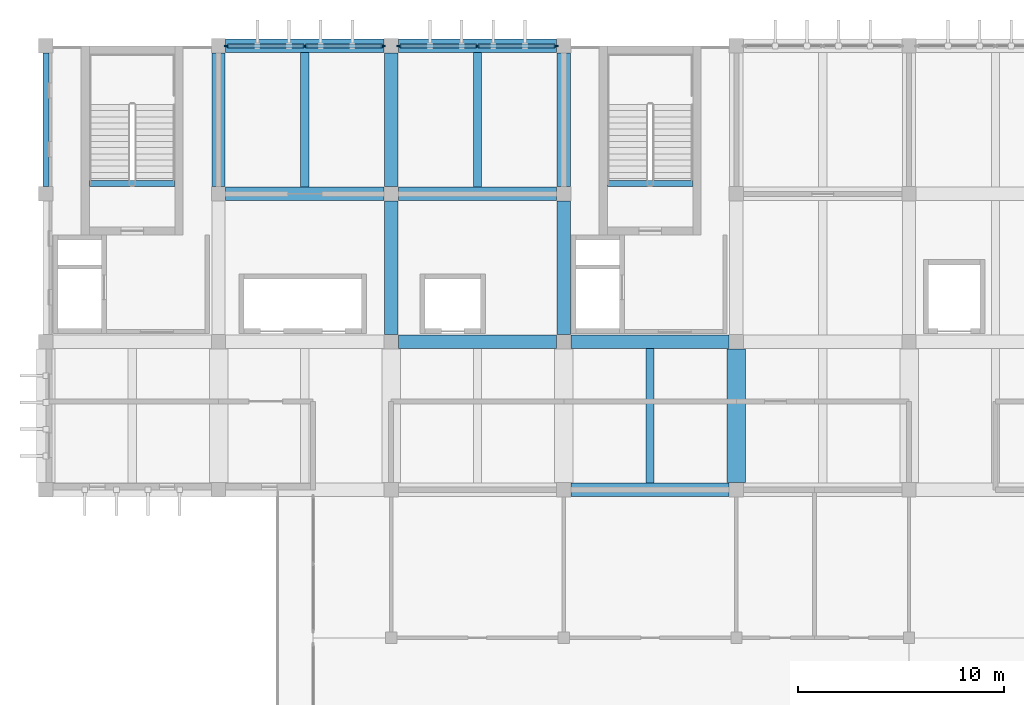
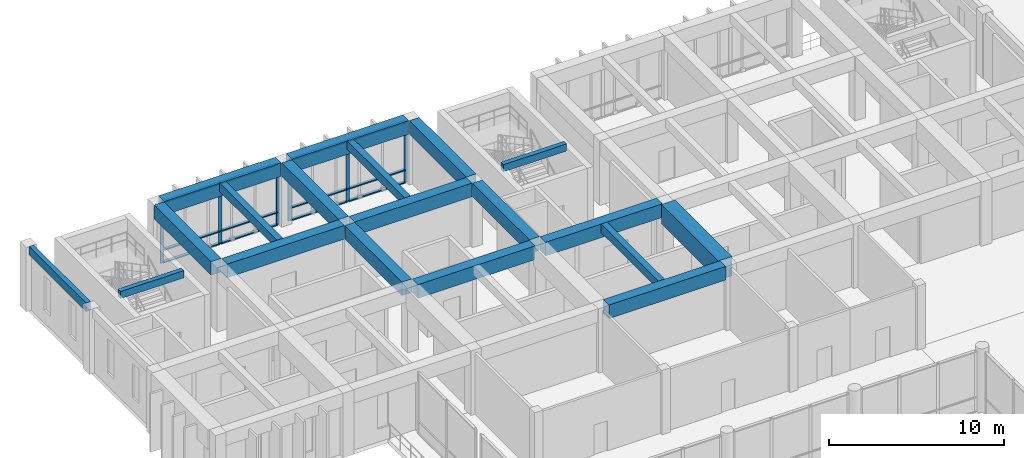
# One storey, part 6 of 17: 19 beams, 18 members, 2 elements without a shape of their own.
"""IFC4 building model written with IfcOpenShell, lengths in metres."""

from ifc_helpers import new_model, si_unit, direction, frame, origin, origin_2d, place, context, subcontext, project, spatial, rectangle, extrude, material, material_profile, profile_set, type_object, element, aggregate, save


model = new_model("IFC4")

# Units and contexts
model_context = context("Model", 3, precision=1e-05, world=origin(), true_north=direction((0.0, 1.0)))
body_context = subcontext(model_context, "Body", "Model", "MODEL_VIEW")
ifc_project = project(units=[si_unit("LENGTHUNIT", "METRE"), si_unit("AREAUNIT", "SQUARE_METRE"), si_unit("VOLUMEUNIT", "CUBIC_METRE"), si_unit("PLANEANGLEUNIT", "RADIAN"), si_unit("MASSUNIT", "GRAM", prefix="KILO")], contexts=[model_context])

# Site, building, storey
site_placement = place(None, origin())
site = spatial("IfcSite", under=ifc_project, at=site_placement, CompositionType="ELEMENT")
building_placement = place(site_placement, origin())
building = spatial("IfcBuilding", under=site, at=building_placement, Name="Kenerak Square Central Library", CompositionType="ELEMENT")
storey_placement = place(building_placement, frame((0.0, 0.0, 23.360107421875)))
storey = spatial("IfcBuildingStorey", under=building, at=storey_placement, Name="L05", CompositionType="ELEMENT", Elevation=23.360107421875)

# Beams
ifc_material_1 = material(Name="Concrete C45/55", Category="concrete")
ifc_material_profile_1 = material_profile(ifc_material_1, rectangle(XDim=0.64990234375, YDim=0.949951171875, at=origin_2d()), Name="RC 650x950")
ifc_profile_set_1 = profile_set([ifc_material_profile_1], Name="Concrete C45/55")
beam_type_1 = type_object("IfcBeamType", Name="Book Stack Girder B-02 RC 650x950 C45/55", PredefinedType="BEAM", material=ifc_profile_set_1)
for number, where, z_axis, x_axis, name in (
    (1, (83.949951171875, 88.800048828125, 4.0048828125), (1.0, 0.0, 0.0), (0.0, 1.0, 0.0), "Beam B-02 L05 1649"),
    (2, (75.550048828125, 96.0, 4.0048828125), (1.0, 0.0, 0.0), (0.0, 1.0, 0.0), "Beam B-02 L05 1655"),
    (3, (83.949951171875, 96.0, 4.0048828125), (1.0, 0.0, 0.0), (0.0, 1.0, 0.0), "Beam B-02 L05 1656"),
):
    element("IfcBeam", number, at=place(storey_placement, frame(where, z_axis=z_axis, x_axis=x_axis)), inside=storey, type_object=beam_type_1, Name=name, PredefinedType="BEAM", context=body_context, shape_type="SweptSolid", body=[
        extrude(rectangle(XDim=0.64990234375, YDim=0.949951171875, at=origin_2d()), origin(), (0.0, 0.0, 1.0), 7.699951171875),
    ])
beam_1_placement = place(storey_placement, frame((67.14990234375, 103.199951171875, 4.0048828125), z_axis=(1.0, 0.0, 0.0), x_axis=(0.0, 1.0, 0.0)))
element("IfcBeam", 4, at=beam_1_placement, inside=storey, type_object=beam_type_1, Name="Beam B-02 L05 1660", PredefinedType="BEAM", context=body_context, shape_type="SweptSolid", body=[
    extrude(rectangle(XDim=0.64990234375, YDim=0.949951171875, at=origin_2d()), origin(), (0.0, 0.0, 1.0), 7.7001953125),
])
beam_2_placement = place(storey_placement, frame((75.550048828125, 103.199951171875, 4.0048828125), z_axis=(1.0, 0.0, 0.0), x_axis=(0.0, 1.0, 0.0)))
element("IfcBeam", 5, at=beam_2_placement, inside=storey, type_object=beam_type_1, Name="Beam B-02 L05 1661", PredefinedType="BEAM", context=body_context, shape_type="SweptSolid", body=[
    extrude(rectangle(XDim=0.64990234375, YDim=0.949951171875, at=origin_2d()), origin(), (0.0, 0.0, 1.0), 7.699951171875),
])
beam_3_placement = place(storey_placement, frame((67.14990234375, 110.39990234375, 4.0048828125), z_axis=(1.0, 0.0, 0.0), x_axis=(0.0, 1.0, 0.0)))
element("IfcBeam", 6, at=beam_3_placement, inside=storey, type_object=beam_type_1, Name="Beam B-02 L05 1664", PredefinedType="BEAM", context=body_context, shape_type="SweptSolid", body=[
    extrude(rectangle(XDim=0.64990234375, YDim=0.949951171875, at=origin_2d()), origin(), (0.0, 0.0, 1.0), 7.7001953125),
])
beam_4_placement = place(storey_placement, frame((75.550048828125, 110.39990234375, 4.0048828125), z_axis=(1.0, 0.0, 0.0), x_axis=(0.0, 1.0, 0.0)))
element("IfcBeam", 7, at=beam_4_placement, inside=storey, type_object=beam_type_1, Name="Beam B-02 L05 1665", PredefinedType="BEAM", context=body_context, shape_type="SweptSolid", body=[
    extrude(rectangle(XDim=0.64990234375, YDim=0.949951171875, at=origin_2d()), origin(), (0.0, 0.0, 1.0), 7.699951171875),
])
for number, where, z_axis, x_axis, name in (
    (8, (66.800048828125, 103.550048828125, 4.0048828125), (0.0, 1.0, 0.0), (-1.0, 0.0, 0.0), "Beam B-02 L05 1673"),
    (9, (75.199951171875, 96.35009765625, 4.0048828125), (0.0, 1.0, 0.0), (-1.0, 0.0, 0.0), "Beam B-02 L05 1675"),
    (10, (75.199951171875, 103.550048828125, 4.0048828125), (0.0, 1.0, 0.0), (-1.0, 0.0, 0.0), "Beam B-02 L05 1676"),
    (11, (83.60009765625, 96.35009765625, 4.0048828125), (0.0, 1.0, 0.0), (-1.0, 0.0, 0.0), "Beam B-02 L05 1678"),
    (12, (83.60009765625, 103.550048828125, 4.0048828125), (0.0, 1.0, 0.0), (-1.0, 0.0, 0.0), "Beam B-02 L05 1679"),
):
    element("IfcBeam", number, at=place(storey_placement, frame(where, z_axis=z_axis, x_axis=x_axis)), inside=storey, type_object=beam_type_1, Name=name, PredefinedType="BEAM", context=body_context, shape_type="SweptSolid", body=[
        extrude(rectangle(XDim=0.64990234375, YDim=0.949951171875, at=origin_2d()), origin(), (0.0, 0.0, 1.0), 6.5),
    ])
ifc_material_2 = material(Name="Concrete C40/50", Category="concrete")
ifc_material_profile_2 = material_profile(ifc_material_2, rectangle(XDim=0.300048828125, YDim=0.60009765625, at=origin_2d()), Name="RC 300x600")
ifc_profile_set_2 = profile_set([ifc_material_profile_2], Name="Concrete C40/50")
beam_type_2 = type_object("IfcBeamType", Name="Courtyard Spandrel Beam SP-02 RC 300x600 C40/50", PredefinedType="SPANDREL", material=ifc_profile_set_2)
beam_5_placement = place(storey_placement, frame((58.39990234375, 103.550048828125, 4.179931640625), z_axis=(0.0, 1.0, 0.0), x_axis=(-1.0, 0.0, 0.0)))
element("IfcBeam", 13, at=beam_5_placement, inside=storey, type_object=beam_type_2, Name="Beam SP-02 L05 1670", PredefinedType="SPANDREL", context=body_context, shape_type="SweptSolid", body=[
    extrude(rectangle(XDim=0.300048828125, YDim=0.60009765625, at=origin_2d()), origin(), (0.0, 0.0, 1.0), 6.5),
])

# Curtain wall, members
ifc_material_3 = material(Name="Anodised aluminium and solar-control low-E glazing", Category="aluminium")
curtain_wall_type = type_object("IfcCurtainWallType", Name="Curtain Wall CW-V5-77x42 7700x4255", PredefinedType="USERDEFINED", material=ifc_material_3)
curtain_wall_1_placement = place(storey_placement, origin())
curtain_wall_1 = element("IfcCurtainWall", 14, at=curtain_wall_1_placement, inside=storey, type_object=curtain_wall_type, Name="Curtain Wall CW-V5-77x42 L05 0155", ObjectType="CURTAIN WALL", PredefinedType="USERDEFINED")
ifc_material_4 = material(Name="Anodised aluminium 6063-T6", Category="aluminium")
ifc_material_profile_3 = material_profile(ifc_material_4, rectangle(XDim=0.074951171875, YDim=0.219970703125, at=origin_2d()), Name="AL MULLION 75x220")
ifc_profile_set_3 = profile_set([ifc_material_profile_3], Name="Anodised aluminium 6063-T6")
member_type_1 = type_object("IfcMemberType", Name="Curtain Mullion CM-02 75x220", PredefinedType="MULLION", material=ifc_profile_set_3)
member_1_placement = place(storey_placement, frame((67.1875, 110.39990234375, 0.0), z_axis=(0.0, 0.0, 1.0), x_axis=(0.0, 1.0, 0.0)))
member_1 = element("IfcMember", 15, at=member_1_placement, type_object=member_type_1, Name="CW-V5-77x42 Mullion 1", PredefinedType="MULLION", context=body_context, shape_type="SweptSolid", body=[
    extrude(rectangle(XDim=0.074951171875, YDim=0.219970703125, at=origin_2d()), origin(), (0.0, 0.0, 1.0), 4.2548828125),
])
member_2_placement = place(storey_placement, frame((71.0, 110.39990234375, 0.0), z_axis=(0.0, 0.0, 1.0), x_axis=(0.0, 1.0, 0.0)))
member_2 = element("IfcMember", 16, at=member_2_placement, type_object=member_type_1, Name="CW-V5-77x42 Mullion 2", PredefinedType="MULLION", context=body_context, shape_type="SweptSolid", body=[
    extrude(rectangle(XDim=0.074951171875, YDim=0.219970703125, at=origin_2d()), origin(), (0.0, 0.0, 1.0), 4.2548828125),
])
member_3_placement = place(storey_placement, frame((74.8125, 110.39990234375, 0.0), z_axis=(0.0, 0.0, 1.0), x_axis=(0.0, 1.0, 0.0)))
member_3 = element("IfcMember", 17, at=member_3_placement, type_object=member_type_1, Name="CW-V5-77x42 Mullion 3", PredefinedType="MULLION", context=body_context, shape_type="SweptSolid", body=[
    extrude(rectangle(XDim=0.074951171875, YDim=0.219970703125, at=origin_2d()), origin(), (0.0, 0.0, 1.0), 4.2548828125),
])

curtain_wall_2_placement = place(storey_placement, origin())
curtain_wall_2 = element("IfcCurtainWall", 18, at=curtain_wall_2_placement, inside=storey, type_object=curtain_wall_type, Name="Curtain Wall CW-V5-77x42 L05 0156", ObjectType="CURTAIN WALL", PredefinedType="USERDEFINED")
member_4_placement = place(storey_placement, frame((75.58740234375, 110.39990234375, 0.0), z_axis=(0.0, 0.0, 1.0), x_axis=(0.0, 1.0, 0.0)))
member_4 = element("IfcMember", 19, at=member_4_placement, type_object=member_type_1, Name="CW-V5-77x42 Mullion 1", PredefinedType="MULLION", context=body_context, shape_type="SweptSolid", body=[
    extrude(rectangle(XDim=0.074951171875, YDim=0.219970703125, at=origin_2d()), origin(), (0.0, 0.0, 1.0), 4.2548828125),
])
member_5_placement = place(storey_placement, frame((79.39990234375, 110.39990234375, 0.0), z_axis=(0.0, 0.0, 1.0), x_axis=(0.0, 1.0, 0.0)))
member_5 = element("IfcMember", 20, at=member_5_placement, type_object=member_type_1, Name="CW-V5-77x42 Mullion 2", PredefinedType="MULLION", context=body_context, shape_type="SweptSolid", body=[
    extrude(rectangle(XDim=0.074951171875, YDim=0.219970703125, at=origin_2d()), origin(), (0.0, 0.0, 1.0), 4.2548828125),
])
member_6_placement = place(storey_placement, frame((83.21240234375, 110.39990234375, 0.0), z_axis=(0.0, 0.0, 1.0), x_axis=(0.0, 1.0, 0.0)))
member_6 = element("IfcMember", 21, at=member_6_placement, type_object=member_type_1, Name="CW-V5-77x42 Mullion 3", PredefinedType="MULLION", context=body_context, shape_type="SweptSolid", body=[
    extrude(rectangle(XDim=0.074951171875, YDim=0.219970703125, at=origin_2d()), origin(), (0.0, 0.0, 1.0), 4.2548828125),
])

# Member
ifc_material_profile_4 = material_profile(ifc_material_4, rectangle(XDim=0.199951171875, YDim=0.074951171875, at=origin_2d()), Name="AL TRANSOM 200x75")
ifc_profile_set_4 = profile_set([ifc_material_profile_4], Name="Anodised aluminium 6063-T6")
member_type_2 = type_object("IfcMemberType", Name="Curtain Transom CT-12 200x75", PredefinedType="USERDEFINED", material=ifc_profile_set_4)
member_7_placement = place(storey_placement, frame((67.22509765625, 110.39990234375, 0.037353515625), z_axis=(1.0, 0.0, 0.0), x_axis=(0.0, 1.0, 0.0)))
member_7 = element("IfcMember", 22, at=member_7_placement, type_object=member_type_2, Name="CW-V5-77x42 Transom 1.1", ObjectType="TRANSOM", PredefinedType="USERDEFINED", context=body_context, shape_type="SweptSolid", body=[
    extrude(rectangle(XDim=0.199951171875, YDim=0.074951171875, at=origin_2d()), origin(), (0.0, 0.0, 1.0), 3.7373046875),
])

member_8_placement = place(storey_placement, frame((67.22509765625, 110.39990234375, 0.89990234375), z_axis=(1.0, 0.0, 0.0), x_axis=(0.0, 1.0, 0.0)))
member_8 = element("IfcMember", 23, at=member_8_placement, type_object=member_type_2, Name="CW-V5-77x42 Transom 1.2", ObjectType="TRANSOM", PredefinedType="USERDEFINED", context=body_context, shape_type="SweptSolid", body=[
    extrude(rectangle(XDim=0.199951171875, YDim=0.074951171875, at=origin_2d()), origin(), (0.0, 0.0, 1.0), 3.7373046875),
])

member_9_placement = place(storey_placement, frame((67.22509765625, 110.39990234375, 4.21728515625), z_axis=(1.0, 0.0, 0.0), x_axis=(0.0, 1.0, 0.0)))
member_9 = element("IfcMember", 24, at=member_9_placement, type_object=member_type_2, Name="CW-V5-77x42 Transom 1.3", ObjectType="TRANSOM", PredefinedType="USERDEFINED", context=body_context, shape_type="SweptSolid", body=[
    extrude(rectangle(XDim=0.199951171875, YDim=0.074951171875, at=origin_2d()), origin(), (0.0, 0.0, 1.0), 3.7373046875),
])

member_10_placement = place(storey_placement, frame((71.03759765625, 110.39990234375, 0.037353515625), z_axis=(1.0, 0.0, 0.0), x_axis=(0.0, 1.0, 0.0)))
member_10 = element("IfcMember", 25, at=member_10_placement, type_object=member_type_2, Name="CW-V5-77x42 Transom 2.1", ObjectType="TRANSOM", PredefinedType="USERDEFINED", context=body_context, shape_type="SweptSolid", body=[
    extrude(rectangle(XDim=0.199951171875, YDim=0.074951171875, at=origin_2d()), origin(), (0.0, 0.0, 1.0), 3.7373046875),
])

member_11_placement = place(storey_placement, frame((71.03759765625, 110.39990234375, 0.89990234375), z_axis=(1.0, 0.0, 0.0), x_axis=(0.0, 1.0, 0.0)))
member_11 = element("IfcMember", 26, at=member_11_placement, type_object=member_type_2, Name="CW-V5-77x42 Transom 2.2", ObjectType="TRANSOM", PredefinedType="USERDEFINED", context=body_context, shape_type="SweptSolid", body=[
    extrude(rectangle(XDim=0.199951171875, YDim=0.074951171875, at=origin_2d()), origin(), (0.0, 0.0, 1.0), 3.7373046875),
])

member_12_placement = place(storey_placement, frame((71.03759765625, 110.39990234375, 4.21728515625), z_axis=(1.0, 0.0, 0.0), x_axis=(0.0, 1.0, 0.0)))
member_12 = element("IfcMember", 27, at=member_12_placement, type_object=member_type_2, Name="CW-V5-77x42 Transom 2.3", ObjectType="TRANSOM", PredefinedType="USERDEFINED", context=body_context, shape_type="SweptSolid", body=[
    extrude(rectangle(XDim=0.199951171875, YDim=0.074951171875, at=origin_2d()), origin(), (0.0, 0.0, 1.0), 3.7373046875),
])

aggregate(curtain_wall_1, [member_1, member_2, member_3, member_7, member_8, member_9, member_10, member_11, member_12])

member_13_placement = place(storey_placement, frame((75.625, 110.39990234375, 0.037353515625), z_axis=(1.0, 0.0, 0.0), x_axis=(0.0, 1.0, 0.0)))
member_13 = element("IfcMember", 28, at=member_13_placement, type_object=member_type_2, Name="CW-V5-77x42 Transom 1.1", ObjectType="TRANSOM", PredefinedType="USERDEFINED", context=body_context, shape_type="SweptSolid", body=[
    extrude(rectangle(XDim=0.199951171875, YDim=0.074951171875, at=origin_2d()), origin(), (0.0, 0.0, 1.0), 3.737548828125),
])

member_14_placement = place(storey_placement, frame((75.625, 110.39990234375, 0.89990234375), z_axis=(1.0, 0.0, 0.0), x_axis=(0.0, 1.0, 0.0)))
member_14 = element("IfcMember", 29, at=member_14_placement, type_object=member_type_2, Name="CW-V5-77x42 Transom 1.2", ObjectType="TRANSOM", PredefinedType="USERDEFINED", context=body_context, shape_type="SweptSolid", body=[
    extrude(rectangle(XDim=0.199951171875, YDim=0.074951171875, at=origin_2d()), origin(), (0.0, 0.0, 1.0), 3.737548828125),
])

member_15_placement = place(storey_placement, frame((75.625, 110.39990234375, 4.21728515625), z_axis=(1.0, 0.0, 0.0), x_axis=(0.0, 1.0, 0.0)))
member_15 = element("IfcMember", 30, at=member_15_placement, type_object=member_type_2, Name="CW-V5-77x42 Transom 1.3", ObjectType="TRANSOM", PredefinedType="USERDEFINED", context=body_context, shape_type="SweptSolid", body=[
    extrude(rectangle(XDim=0.199951171875, YDim=0.074951171875, at=origin_2d()), origin(), (0.0, 0.0, 1.0), 3.737548828125),
])

member_16_placement = place(storey_placement, frame((79.4375, 110.39990234375, 0.037353515625), z_axis=(1.0, 0.0, 0.0), x_axis=(0.0, 1.0, 0.0)))
member_16 = element("IfcMember", 31, at=member_16_placement, type_object=member_type_2, Name="CW-V5-77x42 Transom 2.1", ObjectType="TRANSOM", PredefinedType="USERDEFINED", context=body_context, shape_type="SweptSolid", body=[
    extrude(rectangle(XDim=0.199951171875, YDim=0.074951171875, at=origin_2d()), origin(), (0.0, 0.0, 1.0), 3.737548828125),
])

member_17_placement = place(storey_placement, frame((79.4375, 110.39990234375, 0.89990234375), z_axis=(1.0, 0.0, 0.0), x_axis=(0.0, 1.0, 0.0)))
member_17 = element("IfcMember", 32, at=member_17_placement, type_object=member_type_2, Name="CW-V5-77x42 Transom 2.2", ObjectType="TRANSOM", PredefinedType="USERDEFINED", context=body_context, shape_type="SweptSolid", body=[
    extrude(rectangle(XDim=0.199951171875, YDim=0.074951171875, at=origin_2d()), origin(), (0.0, 0.0, 1.0), 3.737548828125),
])

member_18_placement = place(storey_placement, frame((79.4375, 110.39990234375, 4.21728515625), z_axis=(1.0, 0.0, 0.0), x_axis=(0.0, 1.0, 0.0)))
member_18 = element("IfcMember", 33, at=member_18_placement, type_object=member_type_2, Name="CW-V5-77x42 Transom 2.3", ObjectType="TRANSOM", PredefinedType="USERDEFINED", context=body_context, shape_type="SweptSolid", body=[
    extrude(rectangle(XDim=0.199951171875, YDim=0.074951171875, at=origin_2d()), origin(), (0.0, 0.0, 1.0), 3.737548828125),
])

aggregate(curtain_wall_2, [member_4, member_5, member_6, member_13, member_14, member_15, member_16, member_17, member_18])

# Beams
ifc_material_profile_5 = material_profile(ifc_material_2, rectangle(XDim=0.300048828125, YDim=0.5, at=origin_2d()), Name="RC 300x500")
ifc_profile_set_5 = profile_set([ifc_material_profile_5], Name="Concrete C40/50")
beam_type_3 = type_object("IfcBeamType", Name="Landing Support Beam B-08 RC 300x500 C40/50", PredefinedType="BEAM", material=ifc_profile_set_5)
for number, where, z_axis, x_axis, name in (
    (34, (60.52001953125, 103.7099609375, 4.22998046875), (1.0, 0.0, 0.0), (0.0, 1.0, 0.0), "Stair Threshold Beam B-08 ST-01 L06"),
    (35, (85.719970703125, 103.7099609375, 4.22998046875), (1.0, 0.0, 0.0), (0.0, 1.0, 0.0), "Stair Threshold Beam B-08 ST-02 L06"),
):
    element("IfcBeam", number, at=place(storey_placement, frame(where, z_axis=z_axis, x_axis=x_axis)), inside=storey, type_object=beam_type_3, Name=name, PredefinedType="BEAM", context=body_context, shape_type="SweptSolid", body=[
        extrude(rectangle(XDim=0.300048828125, YDim=0.5, at=origin_2d()), origin(), (0.0, 0.0, 1.0), 4.159912109375),
    ])
ifc_material_profile_6 = material_profile(ifc_material_2, rectangle(XDim=0.39990234375, YDim=0.60009765625, at=origin_2d()), Name="RC 400x600")
ifc_profile_set_6 = profile_set([ifc_material_profile_6], Name="Concrete C40/50")
beam_type_4 = type_object("IfcBeamType", Name="Secondary Floor Joist J-01 RC 400x600 C40/50", PredefinedType="JOIST", material=ifc_profile_set_6)
for number, where, z_axis, x_axis, name in (
    (36, (71.0, 103.52490234375, 4.179931640625), (0.0, 1.0, 0.0), (-1.0, 0.0, 0.0), "Joist J-01 L05 1694"),
    (37, (79.39990234375, 103.52490234375, 4.179931640625), (0.0, 1.0, 0.0), (-1.0, 0.0, 0.0), "Joist J-01 L05 1696"),
    (38, (87.800048828125, 89.125, 4.179931640625), (0.0, 1.0, 0.0), (-1.0, 0.0, 0.0), "Joist J-01 L05 1697"),
):
    element("IfcBeam", number, at=place(storey_placement, frame(where, z_axis=z_axis, x_axis=x_axis)), inside=storey, type_object=beam_type_4, Name=name, PredefinedType="JOIST", context=body_context, shape_type="SweptSolid", body=[
        extrude(rectangle(XDim=0.39990234375, YDim=0.60009765625, at=origin_2d()), origin(), (0.0, 0.0, 1.0), 6.550048828125),
    ])
ifc_material_profile_7 = material_profile(ifc_material_1, rectangle(XDim=0.89990234375, YDim=1.35009765625, at=origin_2d()), Name="RC 900x1350")
ifc_profile_set_7 = profile_set([ifc_material_profile_7], Name="Concrete C45/55")
beam_type_5 = type_object("IfcBeamType", Name="Transfer Girder TG-02 RC 900x1350 C45/55", PredefinedType="BEAM", material=ifc_profile_set_7)
beam_6_placement = place(storey_placement, frame((92.0, 89.14990234375, 3.804931640625), z_axis=(0.0, 1.0, 0.0), x_axis=(-1.0, 0.0, 0.0)))
element("IfcBeam", 39, at=beam_6_placement, inside=storey, type_object=beam_type_5, Name="Beam TG-02 L05 1680", PredefinedType="BEAM", context=body_context, shape_type="SweptSolid", body=[
    extrude(rectangle(XDim=0.89990234375, YDim=1.35009765625, at=origin_2d()), origin(), (0.0, 0.0, 1.0), 6.5),
])

save(model, "model.ifc")
